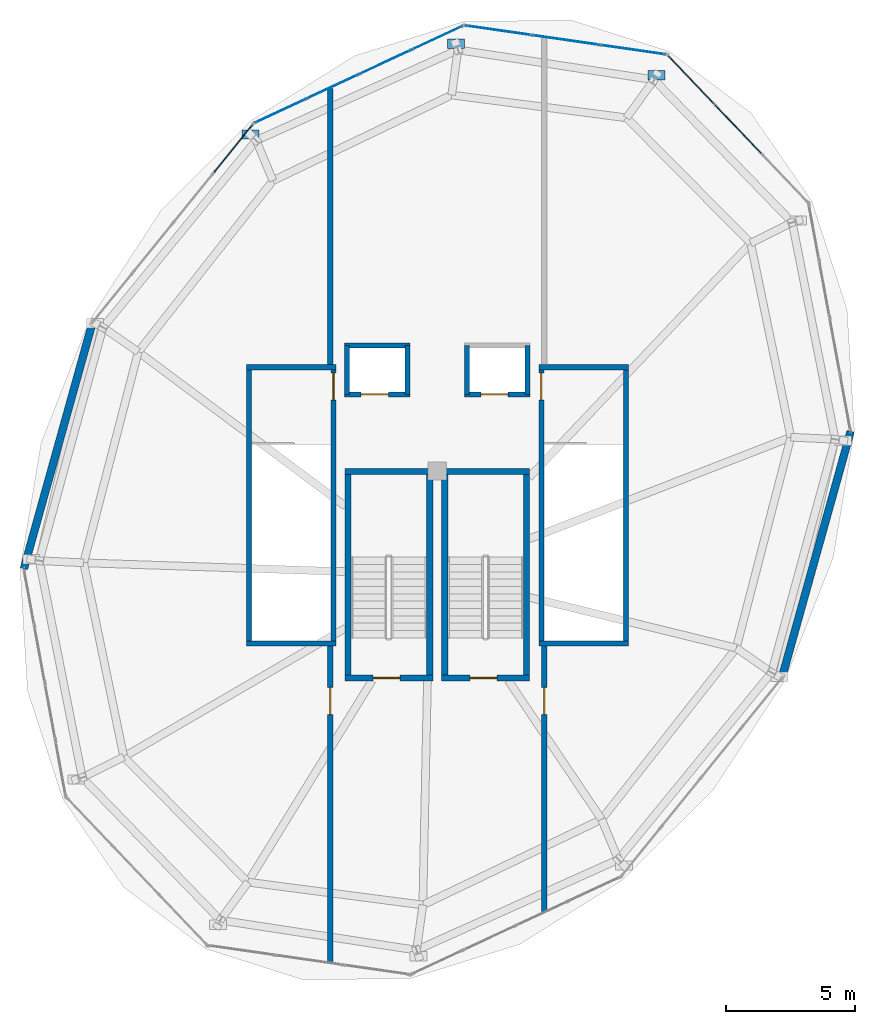
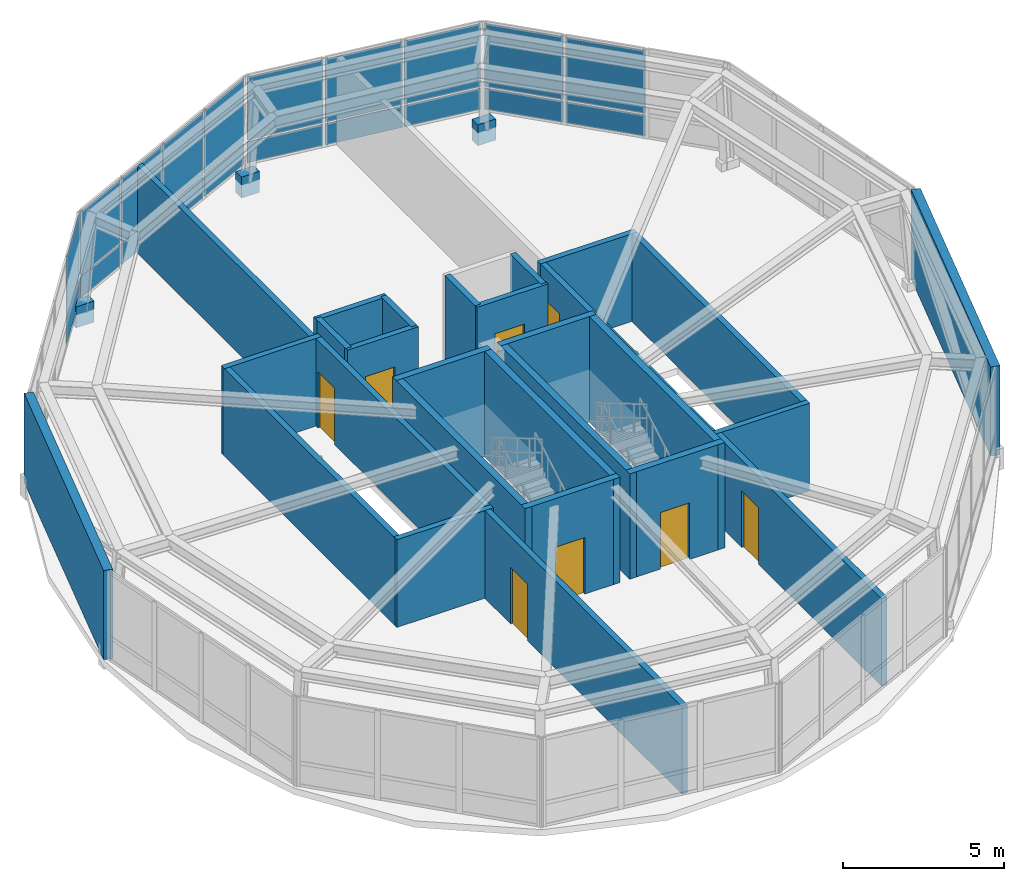
# One storey, part 12 of 14: 28 walls, 23 plates, 8 doors, 8 openings, 4 elements without a shape of their own.
"""IFC4 building model written with IfcOpenShell, lengths in metres."""

import ifcopenshell
import ifcopenshell.guid

model = None  # the IFC model being written
_history = None  # IfcOwnerHistory: only IFC2X3 demands one
_inside = {}  # id of a spatial element -> (the spatial element, [elements in it])
_under = {}  # id of a project, library or spatial element -> (it, [spatial elements below it])
_declared = {}  # id of a project -> (the project, [libraries it declares])
_typed = {}  # id of a type object -> (the type object, [elements of that type])
_made_of = {}  # id of a material, layer set ... -> (it, [elements and type objects made of it])


def new_model(schema):
    """Start an empty IFC model of exactly this schema.

    Asked for "IFC4X3", IfcOpenShell would pick the latest addendum, in which some entities
    have other attributes; the version numbers below select the first issue.
    IFC2X3 requires an IfcOwnerHistory on every rooted entity: one is made here for all.
    """
    global model, _history
    if schema == "IFC4X3":
        model = ifcopenshell.file(schema_version=(4, 3, 0, 0))
    else:
        model = ifcopenshell.file(schema=schema)
    _inside.clear()
    _under.clear()
    _declared.clear()
    _typed.clear()
    _made_of.clear()
    _history = None
    if model.schema == "IFC2X3":
        org = make("IfcOrganization", Name="unknown")
        user = make(
            "IfcPersonAndOrganization",
            ThePerson=make("IfcPerson", FamilyName="unknown"),
            TheOrganization=org,
        )
        app = make(
            "IfcApplication",
            ApplicationDeveloper=org,
            Version="unknown",
            ApplicationFullName="unknown",
            ApplicationIdentifier="unknown",
        )
        _history = make(
            "IfcOwnerHistory",
            OwningUser=user,
            OwningApplication=app,
            ChangeAction="ADDED",
            CreationDate=0,
        )
    return model


def make(cls, **values):
    """One entity of the class cls with the attributes given. An attribute that is None is left unset."""
    return model.create_entity(
        cls, **{name: value for name, value in values.items() if value is not None}
    )


def rooted(cls, **values):
    """An entity with a GlobalId (a new one), such as an element, a storey or a relation."""
    return make(cls, GlobalId=ifcopenshell.guid.new(), OwnerHistory=_history, **values)


def si_unit(unit_type, name, prefix=None):
    """IfcSIUnit, for example si_unit("LENGTHUNIT", "METRE", prefix="MILLI")."""
    return make("IfcSIUnit", UnitType=unit_type, Prefix=prefix, Name=name)


def assignment(units):
    """IfcUnitAssignment: the units of a project."""
    return None if units is None else make("IfcUnitAssignment", Units=units)


def point(xyz):
    """IfcCartesianPoint."""
    return None if xyz is None else make("IfcCartesianPoint", Coordinates=xyz)


def direction(xyz):
    """IfcDirection."""
    return None if xyz is None else make("IfcDirection", DirectionRatios=xyz)


def frame(location, z_axis=None, x_axis=None):
    """IfcAxis2Placement3D, a coordinate frame: its origin and axes. An axis left out is left unset."""
    return make(
        "IfcAxis2Placement3D",
        Location=point(location),
        Axis=direction(z_axis),
        RefDirection=direction(x_axis),
    )


def frame_2d(location, x_axis=None):
    """IfcAxis2Placement2D, a coordinate frame in the plane: its origin and x axis."""
    return make(
        "IfcAxis2Placement2D", Location=point(location), RefDirection=direction(x_axis)
    )


def origin():
    """The frame at (0, 0, 0) with its axes left unset."""
    return frame((0.0, 0.0, 0.0))


def origin_2d():
    """The frame at (0, 0) in the plane with its x axis left unset."""
    return frame_2d((0.0, 0.0))


def place(relative_to, where):
    """IfcLocalPlacement: puts the frame where relative to a parent placement (None: the world)."""
    return make(
        "IfcLocalPlacement", PlacementRelTo=relative_to, RelativePlacement=where
    )


def context(
    kind, dimensions, precision=None, world=None, true_north=None, identifier=None
):
    """IfcGeometricRepresentationContext, for example the 3D "Model" context."""
    return make(
        "IfcGeometricRepresentationContext",
        ContextIdentifier=identifier,
        ContextType=kind,
        CoordinateSpaceDimension=dimensions,
        Precision=precision,
        WorldCoordinateSystem=world,
        TrueNorth=true_north,
    )


def subcontext(parent, identifier, kind, view, scale=None):
    """IfcGeometricRepresentationSubContext, for example "Body" below "Model"."""
    return make(
        "IfcGeometricRepresentationSubContext",
        ContextIdentifier=identifier,
        ContextType=kind,
        ParentContext=parent,
        TargetScale=scale,
        TargetView=view,
    )


def project(units=None, contexts=None):
    """IfcProject with its units and contexts."""
    return rooted(
        "IfcProject",
        Name="project",
        RepresentationContexts=contexts,
        UnitsInContext=assignment(units),
    )


def spatial(cls, under=None, at=None, **own):
    """A site, building, storey or space (cls), placed at a placement, below another one or the project."""
    s = rooted(cls, ObjectPlacement=at, **own)
    if under is not None:
        _under.setdefault(under.id(), (under, []))[1].append(s)
    return s


def profile(cls, at=None, kind="AREA", **sizes):
    """A parametric profile (cls). Its sizes go by their IFC names, for example OverallWidth=200.0."""
    return make(cls, ProfileType=kind, Position=at, **sizes)


def rectangle(**sizes):
    """IfcRectangleProfileDef."""
    return profile("IfcRectangleProfileDef", **sizes)


def extrude(swept, where, along, depth):
    """IfcExtrudedAreaSolid: the profile swept, set in the frame where, extruded along a direction by depth."""
    return make(
        "IfcExtrudedAreaSolid",
        SweptArea=swept,
        Position=where,
        ExtrudedDirection=direction(along),
        Depth=depth,
    )


def shape(context_of_items, identifier, shape_type, items):
    """IfcShapeRepresentation: the items that make up one representation, for example the "Body"."""
    return make(
        "IfcShapeRepresentation",
        ContextOfItems=context_of_items,
        RepresentationIdentifier=identifier,
        RepresentationType=shape_type,
        Items=items,
    )


def material(Name=None, Category=None):
    """IfcMaterial."""
    return make("IfcMaterial", Name=Name, Category=Category)


def layer(
    of_material, thickness, ventilated=None, Name=None, Category=None, Priority=None
):
    """IfcMaterialLayer: one layer of a wall or slab, of a material (None: an air gap)."""
    return make(
        "IfcMaterialLayer",
        Material=of_material,
        LayerThickness=thickness,
        IsVentilated=ventilated,
        Name=Name,
        Category=Category,
        Priority=Priority,
    )


def layer_set(layers, Name=None):
    """IfcMaterialLayerSet."""
    return make("IfcMaterialLayerSet", MaterialLayers=layers, LayerSetName=Name)


def made_of(thing, what):
    """Note that an element or type object is made of a material, layer set ...; save() writes the relation."""
    if what is not None:
        _made_of.setdefault(what.id(), (what, []))[1].append(thing)
    return thing


def type_object(cls, material=None, **own):
    """A type object (cls), such as IfcWallType, which elements share."""
    return made_of(rooted(cls, **own), material)


def element(
    cls,
    number,
    at=None,
    inside=None,
    cuts=None,
    type_object=None,
    material=None,
    context=None,
    identifier="Body",
    shape_type=None,
    held_by="IfcProductDefinitionShape",
    body=None,
    shapes=None,
    **own,
):
    """One element of the class cls, such as IfcWall. Its Tag is "e" and its number.

    at: its placement. inside: the storey or other place that contains it. cuts: it is an
    opening in that element (IfcRelVoidsElement). A single representation is given by context,
    identifier, shape_type and body (its items); several are given by shapes. held_by: the class
    of the entity that holds the representations. save() writes the other relations.
    """
    e = rooted(cls, Tag="e%d" % number, ObjectPlacement=at, **own)
    if body is not None:
        shapes = [shape(context, identifier, shape_type, body)]
    if shapes is not None:
        e.Representation = make(held_by, Representations=shapes)
    if inside is not None:
        _inside.setdefault(inside.id(), (inside, []))[1].append(e)
    if cuts is not None:
        rooted(
            "IfcRelVoidsElement", RelatingBuildingElement=cuts, RelatedOpeningElement=e
        )
    if type_object is not None:
        _typed.setdefault(type_object.id(), (type_object, []))[1].append(e)
    return made_of(e, material)


def fill(opening, filler):
    """IfcRelFillsElement: the door or window that sits in an opening."""
    return rooted(
        "IfcRelFillsElement",
        RelatingOpeningElement=opening,
        RelatedBuildingElement=filler,
    )


def aggregate(whole, parts):
    """IfcRelAggregates: a whole, such as a stair, and the parts it consists of."""
    return rooted("IfcRelAggregates", RelatingObject=whole, RelatedObjects=parts)


def save(model, path):
    """Write the relations noted so far, then the file.

    IfcRelAggregates (storeys below a building ...), IfcRelContainedInSpatialStructure (elements
    in a storey), IfcRelDefinesByType, IfcRelAssociatesMaterial and IfcRelDeclares: one each for
    every whole, place, type object, material and project.
    """
    for whole, parts in _under.values():
        aggregate(whole, parts)
    for where, things in _inside.values():
        rooted(
            "IfcRelContainedInSpatialStructure",
            RelatedElements=things,
            RelatingStructure=where,
        )
    for kind, things in _typed.values():
        rooted("IfcRelDefinesByType", RelatedObjects=things, RelatingType=kind)
    for what, things in _made_of.values():
        rooted("IfcRelAssociatesMaterial", RelatedObjects=things, RelatingMaterial=what)
    for by, libraries in _declared.values():
        rooted("IfcRelDeclares", RelatingContext=by, RelatedDefinitions=libraries)
    model.write(path)


model = new_model("IFC4")

# Units and contexts
model_context = context("Model", 3, precision=1e-05, world=origin(), true_north=direction((0.0, 1.0)))
body_context = subcontext(model_context, "Body", "Model", "MODEL_VIEW")
ifc_project = project(units=[si_unit("LENGTHUNIT", "METRE"), si_unit("AREAUNIT", "SQUARE_METRE"), si_unit("VOLUMEUNIT", "CUBIC_METRE"), si_unit("PLANEANGLEUNIT", "RADIAN"), si_unit("MASSUNIT", "GRAM", prefix="KILO"), si_unit("THERMODYNAMICTEMPERATUREUNIT", "KELVIN"), si_unit("POWERUNIT", "WATT")], contexts=[model_context])

# Site, building, storey
site_placement = place(None, origin())
site = spatial("IfcSite", under=ifc_project, at=site_placement, CompositionType="ELEMENT")
building_placement = place(site_placement, origin())
building = spatial("IfcBuilding", under=site, at=building_placement, Name="Ocrelia Relay Tower", CompositionType="ELEMENT")
storey_placement = place(building_placement, frame((0.0, 0.0, 288.0)))
storey = spatial("IfcBuildingStorey", under=building, at=storey_placement, Name="L72", CompositionType="ELEMENT", Elevation=288.0)

# Curtain wall, plates
ifc_material_1 = material(Name="Aluminium and solar-control low-E glass", Category="aluminium")
ifc_layer_1 = layer(ifc_material_1, 0.179931640625, Name="Aluminium and solar-control low-E glass")
ifc_layer_set_1 = layer_set([ifc_layer_1], Name="Aluminium and solar-control low-E glass")
curtain_wall_type = type_object("IfcCurtainWallType", Name="CW-SYS-CROWN-PT", PredefinedType="NOTDEFINED", material=ifc_layer_set_1)
curtain_wall_1_placement = place(storey_placement, origin())
curtain_wall_1 = element("IfcCurtainWall", 1, at=curtain_wall_1_placement, inside=storey, type_object=curtain_wall_type, Name="L72 Faceted Glass-Point Crown Curtain Wall 01", PredefinedType="NOTDEFINED")
ifc_material_2 = material(Name="Clear double-glazed low-E glass", Category="glass")
ifc_layer_2 = layer(ifc_material_2, 0.031982421875, Name="Clear double-glazed low-E glass")
ifc_layer_set_2 = layer_set([ifc_layer_2], Name="Clear double-glazed low-E glass")
plate_type_1 = type_object("IfcPlateType", Name="CW-SYS-CROWN-PT-PNL", PredefinedType="CURTAIN_PANEL", material=ifc_layer_set_2)
plate_1_placement = place(storey_placement, frame((41.58837890625, 43.4755859375, 0.06494140625), z_axis=(0.0, 0.0, 1.0), x_axis=(-0.989776471131, 0.142627266665, 0.0)))
plate_1 = element("IfcPlate", 2, at=plate_1_placement, type_object=plate_type_1, Name="CW-CR panel 1.1", PredefinedType="CURTAIN_PANEL", context=body_context, shape_type="SweptSolid", body=[
    extrude(rectangle(XDim=2.5419921875, YDim=0.031982421875, at=origin_2d()), origin(), (0.0, 0.0, 1.0), 0.802490234375),
])
plate_2_placement = place(storey_placement, frame((41.58837890625, 43.4755859375, 0.932373046875), z_axis=(0.0, 0.0, 1.0), x_axis=(-0.989776471131, 0.142627266665, 0.0)))
plate_2 = element("IfcPlate", 3, at=plate_2_placement, type_object=plate_type_1, Name="CW-CR panel 1.2", PredefinedType="CURTAIN_PANEL", context=body_context, shape_type="SweptSolid", body=[
    extrude(rectangle(XDim=2.5419921875, YDim=0.031982421875, at=origin_2d()), origin(), (0.0, 0.0, 1.0), 2.392578125),
])
plate_3_placement = place(storey_placement, frame((38.979736328125, 43.8515625, 0.06494140625), z_axis=(0.0, 0.0, 1.0), x_axis=(-0.989776471131, 0.142627266665, 0.0)))
plate_3 = element("IfcPlate", 4, at=plate_3_placement, type_object=plate_type_1, Name="CW-CR panel 2.1", PredefinedType="CURTAIN_PANEL", context=body_context, shape_type="SweptSolid", body=[
    extrude(rectangle(XDim=2.57958984375, YDim=0.031982421875, at=origin_2d()), origin(), (0.0, 0.0, 1.0), 0.802490234375),
])
plate_4_placement = place(storey_placement, frame((38.979736328125, 43.8515625, 0.932373046875), z_axis=(0.0, 0.0, 1.0), x_axis=(-0.989776471131, 0.142627266665, 0.0)))
plate_4 = element("IfcPlate", 5, at=plate_4_placement, type_object=plate_type_1, Name="CW-CR panel 2.2", PredefinedType="CURTAIN_PANEL", context=body_context, shape_type="SweptSolid", body=[
    extrude(rectangle(XDim=2.57958984375, YDim=0.031982421875, at=origin_2d()), origin(), (0.0, 0.0, 1.0), 2.392578125),
])
plate_5_placement = place(storey_placement, frame((36.370849609375, 44.2275390625, 0.06494140625), z_axis=(0.0, 0.0, 1.0), x_axis=(-0.989776471131, 0.142627266665, 0.0)))
plate_5 = element("IfcPlate", 6, at=plate_5_placement, type_object=plate_type_1, Name="CW-CR panel 3.1", PredefinedType="CURTAIN_PANEL", context=body_context, shape_type="SweptSolid", body=[
    extrude(rectangle(XDim=2.5419921875, YDim=0.031982421875, at=origin_2d()), origin(), (0.0, 0.0, 1.0), 0.802490234375),
])
plate_6_placement = place(storey_placement, frame((36.370849609375, 44.2275390625, 0.932373046875), z_axis=(0.0, 0.0, 1.0), x_axis=(-0.989776471131, 0.142627266665, 0.0)))
plate_6 = element("IfcPlate", 7, at=plate_6_placement, type_object=plate_type_1, Name="CW-CR panel 3.2", PredefinedType="CURTAIN_PANEL", context=body_context, shape_type="SweptSolid", body=[
    extrude(rectangle(XDim=2.5419921875, YDim=0.031982421875, at=origin_2d()), origin(), (0.0, 0.0, 1.0), 2.392578125),
])
aggregate(curtain_wall_1, [plate_1, plate_2, plate_3, plate_4, plate_5, plate_6])

curtain_wall_2_placement = place(storey_placement, origin())
curtain_wall_2 = element("IfcCurtainWall", 8, at=curtain_wall_2_placement, inside=storey, type_object=curtain_wall_type, Name="L72 Faceted Glass-Point Crown Curtain Wall 02", PredefinedType="NOTDEFINED")
plate_7_placement = place(storey_placement, frame((34.001708984375, 43.9365234375, 0.06494140625), z_axis=(0.0, 0.0, 1.0), x_axis=(-0.906542117727, -0.422115373786, 0.0)))
plate_7 = element("IfcPlate", 9, at=plate_7_placement, type_object=plate_type_1, Name="CW-CR panel 1.1", PredefinedType="CURTAIN_PANEL", context=body_context, shape_type="SweptSolid", body=[
    extrude(rectangle(XDim=2.137939453125, YDim=0.031982421875, at=origin_2d()), origin(), (0.0, 0.0, 1.0), 0.802490234375),
])
plate_8_placement = place(storey_placement, frame((34.001708984375, 43.9365234375, 0.932373046875), z_axis=(0.0, 0.0, 1.0), x_axis=(-0.906542117727, -0.422115373786, 0.0)))
plate_8 = element("IfcPlate", 10, at=plate_8_placement, type_object=plate_type_1, Name="CW-CR panel 1.2", PredefinedType="CURTAIN_PANEL", context=body_context, shape_type="SweptSolid", body=[
    extrude(rectangle(XDim=2.137939453125, YDim=0.031982421875, at=origin_2d()), origin(), (0.0, 0.0, 1.0), 2.392578125),
])
plate_9_placement = place(storey_placement, frame((31.978515625, 42.99462890625, 0.06494140625), z_axis=(0.0, 0.0, 1.0), x_axis=(-0.906542117727, -0.422115373786, 0.0)))
plate_9 = element("IfcPlate", 11, at=plate_9_placement, type_object=plate_type_1, Name="CW-CR panel 2.1", PredefinedType="CURTAIN_PANEL", context=body_context, shape_type="SweptSolid", body=[
    extrude(rectangle(XDim=2.17529296875, YDim=0.031982421875, at=origin_2d()), origin(), (0.0, 0.0, 1.0), 0.802490234375),
])
plate_10_placement = place(storey_placement, frame((31.978515625, 42.99462890625, 0.932373046875), z_axis=(0.0, 0.0, 1.0), x_axis=(-0.906542117727, -0.422115373786, 0.0)))
plate_10 = element("IfcPlate", 12, at=plate_10_placement, type_object=plate_type_1, Name="CW-CR panel 2.2", PredefinedType="CURTAIN_PANEL", context=body_context, shape_type="SweptSolid", body=[
    extrude(rectangle(XDim=2.17529296875, YDim=0.031982421875, at=origin_2d()), origin(), (0.0, 0.0, 1.0), 2.392578125),
])
plate_11_placement = place(storey_placement, frame((29.9384765625, 42.044677734375, 0.06494140625), z_axis=(0.0, 0.0, 1.0), x_axis=(-0.906542117727, -0.422115373786, 0.0)))
plate_11 = element("IfcPlate", 13, at=plate_11_placement, type_object=plate_type_1, Name="CW-CR panel 3.1", PredefinedType="CURTAIN_PANEL", context=body_context, shape_type="SweptSolid", body=[
    extrude(rectangle(XDim=2.17529296875, YDim=0.031982421875, at=origin_2d()), origin(), (0.0, 0.0, 1.0), 0.802490234375),
])
plate_12_placement = place(storey_placement, frame((29.9384765625, 42.044677734375, 0.932373046875), z_axis=(0.0, 0.0, 1.0), x_axis=(-0.906542117727, -0.422115373786, 0.0)))
plate_12 = element("IfcPlate", 14, at=plate_12_placement, type_object=plate_type_1, Name="CW-CR panel 3.2", PredefinedType="CURTAIN_PANEL", context=body_context, shape_type="SweptSolid", body=[
    extrude(rectangle(XDim=2.17529296875, YDim=0.031982421875, at=origin_2d()), origin(), (0.0, 0.0, 1.0), 2.392578125),
])
plate_13_placement = place(storey_placement, frame((27.91552734375, 41.1025390625, 0.06494140625), z_axis=(0.0, 0.0, 1.0), x_axis=(-0.906542117727, -0.422115373786, 0.0)))
plate_13 = element("IfcPlate", 15, at=plate_13_placement, type_object=plate_type_1, Name="CW-CR panel 4.1", PredefinedType="CURTAIN_PANEL", context=body_context, shape_type="SweptSolid", body=[
    extrude(rectangle(XDim=2.137939453125, YDim=0.031982421875, at=origin_2d()), origin(), (0.0, 0.0, 1.0), 0.802490234375),
])
plate_14_placement = place(storey_placement, frame((27.91552734375, 41.1025390625, 0.932373046875), z_axis=(0.0, 0.0, 1.0), x_axis=(-0.906542117727, -0.422115373786, 0.0)))
plate_14 = element("IfcPlate", 16, at=plate_14_placement, type_object=plate_type_1, Name="CW-CR panel 4.2", PredefinedType="CURTAIN_PANEL", context=body_context, shape_type="SweptSolid", body=[
    extrude(rectangle(XDim=2.137939453125, YDim=0.031982421875, at=origin_2d()), origin(), (0.0, 0.0, 1.0), 2.392578125),
])
aggregate(curtain_wall_2, [plate_7, plate_8, plate_9, plate_10, plate_11, plate_12, plate_13, plate_14])

curtain_wall_3_placement = place(storey_placement, origin())
curtain_wall_3 = element("IfcCurtainWall", 17, at=curtain_wall_3_placement, inside=storey, type_object=curtain_wall_type, Name="L72 Faceted Glass-Point Crown Curtain Wall 03", PredefinedType="NOTDEFINED")
plate_15_placement = place(storey_placement, frame((26.085205078125, 39.640625, 0.06494140625), z_axis=(0.0, 0.0, 1.0), x_axis=(-0.629502598711, -0.776998377229, 0.0)))
plate_15 = element("IfcPlate", 18, at=plate_15_placement, type_object=plate_type_1, Name="CW-CR panel 1.1", PredefinedType="CURTAIN_PANEL", context=body_context, shape_type="SweptSolid", body=[
    extrude(rectangle(XDim=2.370361328125, YDim=0.031982421875, at=origin_2d()), origin(), (0.0, 0.0, 1.0), 0.802490234375),
])
plate_16_placement = place(storey_placement, frame((26.085205078125, 39.640625, 0.932373046875), z_axis=(0.0, 0.0, 1.0), x_axis=(-0.629502598711, -0.776998377229, 0.0)))
plate_16 = element("IfcPlate", 19, at=plate_16_placement, type_object=plate_type_1, Name="CW-CR panel 1.2", PredefinedType="CURTAIN_PANEL", context=body_context, shape_type="SweptSolid", body=[
    extrude(rectangle(XDim=2.370361328125, YDim=0.031982421875, at=origin_2d()), origin(), (0.0, 0.0, 1.0), 2.392578125),
])
aggregate(curtain_wall_3, [plate_15, plate_16])

curtain_wall_4_placement = place(storey_placement, origin())
curtain_wall_4 = element("IfcCurtainWall", 20, at=curtain_wall_4_placement, inside=storey, type_object=curtain_wall_type, Name="L72 Faceted Glass-Point Crown Curtain Wall 12", PredefinedType="NOTDEFINED")
plate_17_placement = place(storey_placement, frame((45.66650390625, 40.400146484375, 0.06494140625), z_axis=(0.0, 0.0, 1.0), x_axis=(-0.689616603237, 0.724174661625, 0.0)))
plate_17 = element("IfcPlate", 21, at=plate_17_placement, type_object=plate_type_1, Name="CW-CR panel 2.1", PredefinedType="CURTAIN_PANEL", context=body_context, shape_type="SweptSolid", body=[
    extrude(rectangle(XDim=2.57958984375, YDim=0.031982421875, at=origin_2d()), origin(), (0.0, 0.0, 1.0), 0.802490234375),
])
plate_18_placement = place(storey_placement, frame((45.66650390625, 40.400146484375, 0.932373046875), z_axis=(0.0, 0.0, 1.0), x_axis=(-0.689616603237, 0.724174661625, 0.0)))
plate_18 = element("IfcPlate", 22, at=plate_18_placement, type_object=plate_type_1, Name="CW-CR panel 2.2", PredefinedType="CURTAIN_PANEL", context=body_context, shape_type="SweptSolid", body=[
    extrude(rectangle(XDim=2.57958984375, YDim=0.031982421875, at=origin_2d()), origin(), (0.0, 0.0, 1.0), 2.392578125),
])
plate_19_placement = place(storey_placement, frame((43.848876953125, 42.308837890625, 0.06494140625), z_axis=(0.0, 0.0, 1.0), x_axis=(-0.689616603237, 0.724174661625, 0.0)))
plate_19 = element("IfcPlate", 23, at=plate_19_placement, type_object=plate_type_1, Name="CW-CR panel 3.1", PredefinedType="CURTAIN_PANEL", context=body_context, shape_type="SweptSolid", body=[
    extrude(rectangle(XDim=2.5419921875, YDim=0.031982421875, at=origin_2d()), origin(), (0.0, 0.0, 1.0), 0.802490234375),
])
plate_20_placement = place(storey_placement, frame((43.848876953125, 42.308837890625, 0.932373046875), z_axis=(0.0, 0.0, 1.0), x_axis=(-0.689616603237, 0.724174661625, 0.0)))
plate_20 = element("IfcPlate", 24, at=plate_20_placement, type_object=plate_type_1, Name="CW-CR panel 3.2", PredefinedType="CURTAIN_PANEL", context=body_context, shape_type="SweptSolid", body=[
    extrude(rectangle(XDim=2.5419921875, YDim=0.031982421875, at=origin_2d()), origin(), (0.0, 0.0, 1.0), 2.392578125),
])
aggregate(curtain_wall_4, [plate_17, plate_18, plate_19, plate_20])

# Plates
ifc_material_3 = material(Name="Steel S355", Category="steel")
ifc_layer_3 = layer(ifc_material_3, 0.031982421875, Name="Steel S355")
ifc_layer_set_3 = layer_set([ifc_layer_3], Name="Steel S355")
plate_type_2 = type_object("IfcPlateType", Name="PL-SPLICE-CP1", PredefinedType="SHEET", material=ifc_layer_set_3)
for number, where, z_axis, x_axis, name in (
    (25, (42.5078125, 42.48388671875, -0.5), (0.0, 0.0, 1.0), (1.0, 0.0, 0.0), "Crown Rib Base Splice Plate SP-01 (01)"),
    (26, (34.7255859375, 43.703857421875, -0.5), (0.0, 0.0, 1.0), (1.0, 0.0, 0.0), "Crown Rib Base Splice Plate SP-01 (02)"),
    (27, (26.7490234375, 40.18017578125, -0.5), (0.0, 0.0, 1.0), (1.0, 0.0, 0.0), "Crown Rib Base Splice Plate SP-01 (03)"),
):
    element("IfcPlate", number, at=place(storey_placement, frame(where, z_axis=z_axis, x_axis=x_axis)), inside=storey, type_object=plate_type_2, Name=name, PredefinedType="SHEET", context=body_context, shape_type="SweptSolid", body=[
        extrude(rectangle(XDim=0.64990234375, YDim=0.360107421875, at=origin_2d()), origin(), (0.0, 0.0, 1.0), 0.800048828125),
    ])

# Wall, opening, door
ifc_material_4 = material(Name="Concrete C50/60", Category="concrete")
ifc_layer_4 = layer(ifc_material_4, 0.239990234375, Name="Concrete C50/60")
ifc_layer_set_4 = layer_set([ifc_layer_4], Name="Concrete C50/60")
wall_type_1 = type_object("IfcWallType", Name="CW-STAIR-240", PredefinedType="SHEAR", material=ifc_layer_set_4)
wall_1_placement = place(storey_placement, frame((30.412109375, 19.092041015625, 0.0), z_axis=(0.0, 0.0, 1.0), x_axis=(1.0, 0.0, 0.0)))
wall_1 = element("IfcWall", 28, at=wall_1_placement, inside=storey, type_object=wall_type_1, Name="L72 ST4 Structural Shaft S Wall", PredefinedType="SHEAR", context=body_context, shape_type="SweptSolid", body=[
    extrude(rectangle(XDim=3.415771484375, YDim=0.239990234375, at=frame_2d((1.7080078125, 0.0))), origin(), (0.0, 0.0, 1.0), 4.0),
])
opening_1_placement = place(wall_1_placement, frame((1.10009765625, 0.0, 0.0)))
opening_1 = element("IfcOpeningElement", 29, at=opening_1_placement, cuts=wall_1, Name="Opening D-FD90", PredefinedType="OPENING", context=body_context, shape_type="SweptSolid", body=[
    extrude(rectangle(XDim=1.050048828125, YDim=2.14990234375, at=frame_2d((0.52490234375, 1.074951171875))), frame((0.0, 0.1298828125, 0.0), z_axis=(0.0, -1.0, 0.0), x_axis=(1.0, 0.0, 0.0)), (0.0, 0.0, 1.0), 0.260009765625),
])
ifc_material_5 = material(Name="Steel S355 90-min fire door", Category="steel")
door_type_1 = type_object("IfcDoorType", Name="DR-STAIR-FD90-1050", OperationType="NOTDEFINED", PredefinedType="DOOR", material=ifc_material_5)
door_1_placement = place(opening_1_placement, origin())
door_1 = element("IfcDoor", 30, at=door_1_placement, inside=storey, type_object=door_type_1, Name="L72 Crown Stair ST4 Fire Door", OperationType="SINGLE_SWING_LEFT", OverallHeight=2.14990234375, OverallWidth=1.050048828125, PredefinedType="DOOR", context=body_context, shape_type="SweptSolid", body=[
    extrude(rectangle(XDim=1.050048828125, YDim=2.14990234375, at=frame_2d((0.52490234375, 1.074951171875))), frame((0.0, 0.02490234375, 0.0), z_axis=(0.0, -1.0, 0.0), x_axis=(1.0, 0.0, 0.0)), (0.0, 0.0, 1.0), 0.050048828125),
])
fill(opening_1, door_1)

# Walls
wall_2_placement = place(storey_placement, frame((30.412109375, 27.10791015625, 0.0), z_axis=(0.0, 0.0, 1.0), x_axis=(1.0, 0.0, 0.0)))
element("IfcWall", 31, at=wall_2_placement, inside=storey, type_object=wall_type_1, Name="L72 ST4 Structural Shaft N Wall", PredefinedType="SHEAR", context=body_context, shape_type="SweptSolid", body=[
    extrude(rectangle(XDim=3.415771484375, YDim=0.239990234375, at=frame_2d((1.7080078125, 0.0))), origin(), (0.0, 0.0, 1.0), 4.0),
])
for number, where, z_axis, x_axis, name in (
    (32, (30.531982421875, 18.971923828125, 0.0), (0.0, 0.0, 1.0), (0.0, 1.0, 0.0), "L72 ST4 Structural Shaft W Wall"),
    (33, (33.7080078125, 18.971923828125, 0.0), (0.0, 0.0, 1.0), (0.0, 1.0, 0.0), "L72 ST4 Structural Shaft E Wall"),
):
    element("IfcWall", number, at=place(storey_placement, frame(where, z_axis=z_axis, x_axis=x_axis)), inside=storey, type_object=wall_type_1, Name=name, PredefinedType="SHEAR", context=body_context, shape_type="SweptSolid", body=[
        extrude(rectangle(XDim=8.256103515625, YDim=0.239990234375, at=frame_2d((4.1279296875, 0.0))), origin(), (0.0, 0.0, 1.0), 4.0),
    ])

# Wall, opening, door
wall_3_placement = place(storey_placement, frame((34.172119140625, 19.092041015625, 0.0), z_axis=(0.0, 0.0, 1.0), x_axis=(1.0, 0.0, 0.0)))
wall_3 = element("IfcWall", 34, at=wall_3_placement, inside=storey, type_object=wall_type_1, Name="L72 ST5 Structural Shaft S Wall", PredefinedType="SHEAR", context=body_context, shape_type="SweptSolid", body=[
    extrude(rectangle(XDim=3.415771484375, YDim=0.239990234375, at=frame_2d((1.7080078125, 0.0))), origin(), (0.0, 0.0, 1.0), 4.0),
])
opening_2_placement = place(wall_3_placement, frame((1.10009765625, 0.0, 0.0)))
opening_2 = element("IfcOpeningElement", 35, at=opening_2_placement, cuts=wall_3, Name="Opening D-FD90", PredefinedType="OPENING", context=body_context, shape_type="SweptSolid", body=[
    extrude(rectangle(XDim=1.050048828125, YDim=2.14990234375, at=frame_2d((0.52490234375, 1.074951171875))), frame((0.0, 0.1298828125, 0.0), z_axis=(0.0, -1.0, 0.0), x_axis=(1.0, 0.0, 0.0)), (0.0, 0.0, 1.0), 0.260009765625),
])
door_2_placement = place(opening_2_placement, origin())
door_2 = element("IfcDoor", 36, at=door_2_placement, inside=storey, type_object=door_type_1, Name="L72 Crown Stair ST5 Fire Door", OperationType="SINGLE_SWING_RIGHT", OverallHeight=2.14990234375, OverallWidth=1.050048828125, PredefinedType="DOOR", context=body_context, shape_type="SweptSolid", body=[
    extrude(rectangle(XDim=1.050048828125, YDim=2.14990234375, at=frame_2d((0.52490234375, 1.074951171875))), frame((0.0, 0.02490234375, 0.0), z_axis=(0.0, -1.0, 0.0), x_axis=(1.0, 0.0, 0.0)), (0.0, 0.0, 1.0), 0.050048828125),
])
fill(opening_2, door_2)

# Walls
wall_4_placement = place(storey_placement, frame((34.172119140625, 27.10791015625, 0.0), z_axis=(0.0, 0.0, 1.0), x_axis=(1.0, 0.0, 0.0)))
element("IfcWall", 37, at=wall_4_placement, inside=storey, type_object=wall_type_1, Name="L72 ST5 Structural Shaft N Wall", PredefinedType="SHEAR", context=body_context, shape_type="SweptSolid", body=[
    extrude(rectangle(XDim=3.415771484375, YDim=0.239990234375, at=frame_2d((1.7080078125, 0.0))), origin(), (0.0, 0.0, 1.0), 4.0),
])
for number, where, z_axis, x_axis, name in (
    (38, (34.2919921875, 18.971923828125, 0.0), (0.0, 0.0, 1.0), (0.0, 1.0, 0.0), "L72 ST5 Structural Shaft W Wall"),
    (39, (37.468017578125, 18.971923828125, 0.0), (0.0, 0.0, 1.0), (0.0, 1.0, 0.0), "L72 ST5 Structural Shaft E Wall"),
):
    element("IfcWall", number, at=place(storey_placement, frame(where, z_axis=z_axis, x_axis=x_axis)), inside=storey, type_object=wall_type_1, Name=name, PredefinedType="SHEAR", context=body_context, shape_type="SweptSolid", body=[
        extrude(rectangle(XDim=8.256103515625, YDim=0.239990234375, at=frame_2d((4.1279296875, 0.0))), origin(), (0.0, 0.0, 1.0), 4.0),
    ])
ifc_material_6 = material(Name="Precast concrete C40/50 with oxide terracotta", Category="masonry")
ifc_layer_5 = layer(ifc_material_6, 0.300048828125, Name="Precast concrete C40/50 with oxide terracotta")
ifc_layer_set_5 = layer_set([ifc_layer_5], Name="Precast concrete C40/50 with oxide terracotta")
wall_type_2 = type_object("IfcWallType", Name="W-EXT-TERR-300", PredefinedType="SOLIDWALL", material=ifc_layer_set_5)
for number, where, z_axis, x_axis, name in (
    (40, (20.626220703125, 32.902587890625, 0.0), (0.0, 0.0, 1.0), (-0.268683344475, -0.963228560832, 0.0), "L72 Crown Braced Terracotta Spine Wall 04"),
    (41, (47.373779296875, 19.097412109375, 0.0), (0.0, 0.0, 1.0), (0.268683344475, 0.963228560832, 0.0), "L72 Crown Braced Terracotta Spine Wall 10"),
):
    element("IfcWall", number, at=place(storey_placement, frame(where, z_axis=z_axis, x_axis=x_axis)), inside=storey, type_object=wall_type_2, Name=name, PredefinedType="SOLIDWALL", context=body_context, shape_type="SweptSolid", body=[
        extrude(rectangle(XDim=9.931640625, YDim=0.300048828125, at=frame_2d((4.9658203125, 0.0))), origin(), (0.0, 0.0, 1.0), 3.389892578125),
    ])

# Wall, opening, door
ifc_layer_6 = layer(ifc_material_4, 0.199951171875, Name="Concrete C50/60")
ifc_layer_set_6 = layer_set([ifc_layer_6], Name="Concrete C50/60")
wall_type_3 = type_object("IfcWallType", Name="W-SHAFT-EI120-200", PredefinedType="SOLIDWALL", material=ifc_layer_set_6)
wall_5_placement = place(storey_placement, frame((30.39990234375, 30.10009765625, 0.0), z_axis=(0.0, 0.0, 1.0), x_axis=(1.0, 0.0, 0.0)))
wall_5 = element("IfcWall", 42, at=wall_5_placement, inside=storey, type_object=wall_type_3, Name="L72 FFL1 South Wall", PredefinedType="SOLIDWALL", context=body_context, shape_type="SweptSolid", body=[
    extrude(rectangle(XDim=2.550048828125, YDim=0.199951171875, at=frame_2d((1.27490234375, 0.0))), origin(), (0.0, 0.0, 1.0), 3.330078125),
])
opening_3_placement = place(wall_5_placement, frame((0.64990234375, 0.0, 0.0)))
opening_3 = element("IfcOpeningElement", 43, at=opening_3_placement, cuts=wall_5, Name="Opening LD-FFL1", PredefinedType="OPENING", context=body_context, shape_type="SweptSolid", body=[
    extrude(rectangle(XDim=1.050048828125, YDim=2.10009765625, at=frame_2d((0.52490234375, 1.050048828125))), frame((0.0, 0.10986328125, 0.0), z_axis=(0.0, -1.0, 0.0), x_axis=(1.0, 0.0, 0.0)), (0.0, 0.0, 1.0), 0.219970703125),
])
ifc_material_7 = material(Name="Brushed stainless steel S355 lift landing door", Category="steel")
door_type_2 = type_object("IfcDoorType", Name="DR-LIFT-LAND-1050", OperationType="DOUBLE_DOOR_SLIDING", PredefinedType="USERDEFINED", material=ifc_material_7)
door_3_placement = place(opening_3_placement, origin())
door_3 = element("IfcDoor", 44, at=door_3_placement, inside=storey, type_object=door_type_2, Name="L72 FFL1 Sliding Landing Door", ObjectType="LANDING DOOR", OperationType="DOUBLE_DOOR_SLIDING", OverallHeight=2.10009765625, OverallWidth=1.050048828125, PredefinedType="USERDEFINED", context=body_context, shape_type="SweptSolid", body=[
    extrude(rectangle(XDim=1.050048828125, YDim=2.10009765625, at=frame_2d((0.52490234375, 1.050048828125))), frame((0.0, 0.02490234375, 0.0), z_axis=(0.0, -1.0, 0.0), x_axis=(1.0, 0.0, 0.0)), (0.0, 0.0, 1.0), 0.050048828125),
])
fill(opening_3, door_3)

# Walls
wall_6_placement = place(storey_placement, frame((30.39990234375, 32.0, 0.0), z_axis=(0.0, 0.0, 1.0), x_axis=(1.0, 0.0, 0.0)))
element("IfcWall", 45, at=wall_6_placement, inside=storey, type_object=wall_type_3, Name="L72 FFL1 N Wall", PredefinedType="SOLIDWALL", context=body_context, shape_type="SweptSolid", body=[
    extrude(rectangle(XDim=2.550048828125, YDim=0.199951171875, at=frame_2d((1.27490234375, 0.0))), origin(), (0.0, 0.0, 1.0), 3.330078125),
])
for number, where, z_axis, x_axis, name in (
    (46, (30.5, 30.10009765625, 0.0), (0.0, 0.0, 1.0), (0.0, 1.0, 0.0), "L72 FFL1 W Wall"),
    (47, (32.85009765625, 30.10009765625, 0.0), (0.0, 0.0, 1.0), (0.0, 1.0, 0.0), "L72 FFL1 E Wall"),
):
    element("IfcWall", number, at=place(storey_placement, frame(where, z_axis=z_axis, x_axis=x_axis)), inside=storey, type_object=wall_type_3, Name=name, PredefinedType="SOLIDWALL", context=body_context, shape_type="SweptSolid", body=[
        extrude(rectangle(XDim=1.89990234375, YDim=0.199951171875, at=frame_2d((0.949951171875, 0.0))), origin(), (0.0, 0.0, 1.0), 3.330078125),
    ])

# Wall, opening, door
wall_7_placement = place(storey_placement, frame((35.050048828125, 30.10009765625, 0.0), z_axis=(0.0, 0.0, 1.0), x_axis=(1.0, 0.0, 0.0)))
wall_7 = element("IfcWall", 48, at=wall_7_placement, inside=storey, type_object=wall_type_3, Name="L72 FFL2 South Wall", PredefinedType="SOLIDWALL", context=body_context, shape_type="SweptSolid", body=[
    extrude(rectangle(XDim=2.550048828125, YDim=0.199951171875, at=frame_2d((1.27490234375, 0.0))), origin(), (0.0, 0.0, 1.0), 3.330078125),
])
opening_4_placement = place(wall_7_placement, frame((0.64990234375, 0.0, 0.0)))
opening_4 = element("IfcOpeningElement", 49, at=opening_4_placement, cuts=wall_7, Name="Opening LD-FFL2", PredefinedType="OPENING", context=body_context, shape_type="SweptSolid", body=[
    extrude(rectangle(XDim=1.050048828125, YDim=2.10009765625, at=frame_2d((0.52490234375, 1.050048828125))), frame((0.0, 0.10986328125, 0.0), z_axis=(0.0, -1.0, 0.0), x_axis=(1.0, 0.0, 0.0)), (0.0, 0.0, 1.0), 0.219970703125),
])
door_4_placement = place(opening_4_placement, origin())
door_4 = element("IfcDoor", 50, at=door_4_placement, inside=storey, type_object=door_type_2, Name="L72 FFL2 Sliding Landing Door", ObjectType="LANDING DOOR", OperationType="DOUBLE_DOOR_SLIDING", OverallHeight=2.10009765625, OverallWidth=1.050048828125, PredefinedType="USERDEFINED", context=body_context, shape_type="SweptSolid", body=[
    extrude(rectangle(XDim=1.050048828125, YDim=2.10009765625, at=frame_2d((0.52490234375, 1.050048828125))), frame((0.0, 0.02490234375, 0.0), z_axis=(0.0, -1.0, 0.0), x_axis=(1.0, 0.0, 0.0)), (0.0, 0.0, 1.0), 0.050048828125),
])
fill(opening_4, door_4)

# Walls
for number, where, z_axis, x_axis, name in (
    (51, (35.14990234375, 30.10009765625, 0.0), (0.0, 0.0, 1.0), (0.0, 1.0, 0.0), "L72 FFL2 W Wall"),
    (52, (37.5, 30.10009765625, 0.0), (0.0, 0.0, 1.0), (0.0, 1.0, 0.0), "L72 FFL2 E Wall"),
):
    element("IfcWall", number, at=place(storey_placement, frame(where, z_axis=z_axis, x_axis=x_axis)), inside=storey, type_object=wall_type_3, Name=name, PredefinedType="SOLIDWALL", context=body_context, shape_type="SweptSolid", body=[
        extrude(rectangle(XDim=1.89990234375, YDim=0.199951171875, at=frame_2d((0.949951171875, 0.0))), origin(), (0.0, 0.0, 1.0), 3.330078125),
    ])
for number, where, z_axis, x_axis, name in (
    (53, (26.590087890625, 20.429931640625, 0.0), (0.0, 0.0, 1.0), (1.0, 0.0, 0.0), "L72 ST1 Top Shaft S Wall"),
    (54, (26.590087890625, 31.14990234375, 0.0), (0.0, 0.0, 1.0), (1.0, 0.0, 0.0), "L72 ST1 Top Shaft N Wall"),
):
    element("IfcWall", number, at=place(storey_placement, frame(where, z_axis=z_axis, x_axis=x_axis)), inside=storey, type_object=wall_type_3, Name=name, PredefinedType="SOLIDWALL", context=body_context, shape_type="SweptSolid", body=[
        extrude(rectangle(XDim=3.47998046875, YDim=0.199951171875, at=frame_2d((1.739990234375, 0.0))), origin(), (0.0, 0.0, 1.0), 3.330078125),
    ])
wall_8_placement = place(storey_placement, frame((26.68994140625, 20.429931640625, 0.0), z_axis=(0.0, 0.0, 1.0), x_axis=(0.0, 1.0, 0.0)))
element("IfcWall", 55, at=wall_8_placement, inside=storey, type_object=wall_type_3, Name="L72 ST1 Top Shaft W Wall", PredefinedType="SOLIDWALL", context=body_context, shape_type="SweptSolid", body=[
    extrude(rectangle(XDim=10.719970703125, YDim=0.199951171875, at=frame_2d((5.35986328125, 0.0))), origin(), (0.0, 0.0, 1.0), 3.330078125),
])

# Wall, opening, door
wall_9_placement = place(storey_placement, frame((29.969970703125, 20.429931640625, 0.0), z_axis=(0.0, 0.0, 1.0), x_axis=(0.0, 1.0, 0.0)))
wall_9 = element("IfcWall", 56, at=wall_9_placement, inside=storey, type_object=wall_type_3, Name="L72 ST1 Top Shaft E Wall", PredefinedType="SOLIDWALL", context=body_context, shape_type="SweptSolid", body=[
    extrude(rectangle(XDim=10.719970703125, YDim=0.199951171875, at=frame_2d((5.35986328125, 0.0))), origin(), (0.0, 0.0, 1.0), 3.330078125),
])
opening_5_placement = place(wall_9_placement, frame((9.449951171875, 0.0, 0.0)))
opening_5 = element("IfcOpeningElement", 57, at=opening_5_placement, cuts=wall_9, Name="Opening D-FD90", PredefinedType="OPENING", context=body_context, shape_type="SweptSolid", body=[
    extrude(rectangle(XDim=1.050048828125, YDim=2.14990234375, at=frame_2d((0.52490234375, 1.074951171875))), frame((0.0, 0.10986328125, 0.0), z_axis=(0.0, -1.0, 0.0), x_axis=(1.0, 0.0, 0.0)), (0.0, 0.0, 1.0), 0.219970703125),
])
door_5_placement = place(opening_5_placement, origin())
door_5 = element("IfcDoor", 58, at=door_5_placement, inside=storey, type_object=door_type_1, Name="L72 ST1 Top Landing Fire Door", OperationType="SINGLE_SWING_LEFT", OverallHeight=2.14990234375, OverallWidth=1.050048828125, PredefinedType="DOOR", context=body_context, shape_type="SweptSolid", body=[
    extrude(rectangle(XDim=1.050048828125, YDim=2.14990234375, at=frame_2d((0.52490234375, 1.074951171875))), frame((0.0, 0.02490234375, 0.0), z_axis=(0.0, -1.0, 0.0), x_axis=(1.0, 0.0, 0.0)), (0.0, 0.0, 1.0), 0.050048828125),
])
fill(opening_5, door_5)

# Walls
for number, where, z_axis, x_axis, name in (
    (59, (37.93994140625, 20.429931640625, 0.0), (0.0, 0.0, 1.0), (1.0, 0.0, 0.0), "L72 ST2 Top Shaft S Wall"),
    (60, (37.93994140625, 31.14990234375, 0.0), (0.0, 0.0, 1.0), (1.0, 0.0, 0.0), "L72 ST2 Top Shaft N Wall"),
):
    element("IfcWall", number, at=place(storey_placement, frame(where, z_axis=z_axis, x_axis=x_axis)), inside=storey, type_object=wall_type_3, Name=name, PredefinedType="SOLIDWALL", context=body_context, shape_type="SweptSolid", body=[
        extrude(rectangle(XDim=3.47998046875, YDim=0.199951171875, at=frame_2d((1.739990234375, 0.0))), origin(), (0.0, 0.0, 1.0), 3.330078125),
    ])

# Wall, opening, door
wall_10_placement = place(storey_placement, frame((38.0400390625, 20.429931640625, 0.0), z_axis=(0.0, 0.0, 1.0), x_axis=(0.0, 1.0, 0.0)))
wall_10 = element("IfcWall", 61, at=wall_10_placement, inside=storey, type_object=wall_type_3, Name="L72 ST2 Top Shaft W Wall", PredefinedType="SOLIDWALL", context=body_context, shape_type="SweptSolid", body=[
    extrude(rectangle(XDim=10.719970703125, YDim=0.199951171875, at=frame_2d((5.35986328125, 0.0))), origin(), (0.0, 0.0, 1.0), 3.330078125),
])
opening_6_placement = place(wall_10_placement, frame((9.449951171875, 0.0, 0.0)))
opening_6 = element("IfcOpeningElement", 62, at=opening_6_placement, cuts=wall_10, Name="Opening D-FD90", PredefinedType="OPENING", context=body_context, shape_type="SweptSolid", body=[
    extrude(rectangle(XDim=1.050048828125, YDim=2.14990234375, at=frame_2d((0.52490234375, 1.074951171875))), frame((0.0, 0.10986328125, 0.0), z_axis=(0.0, -1.0, 0.0), x_axis=(1.0, 0.0, 0.0)), (0.0, 0.0, 1.0), 0.219970703125),
])
door_6_placement = place(opening_6_placement, origin())
door_6 = element("IfcDoor", 63, at=door_6_placement, inside=storey, type_object=door_type_1, Name="L72 ST2 Top Landing Fire Door", OperationType="SINGLE_SWING_RIGHT", OverallHeight=2.14990234375, OverallWidth=1.050048828125, PredefinedType="DOOR", context=body_context, shape_type="SweptSolid", body=[
    extrude(rectangle(XDim=1.050048828125, YDim=2.14990234375, at=frame_2d((0.52490234375, 1.074951171875))), frame((0.0, 0.02490234375, 0.0), z_axis=(0.0, -1.0, 0.0), x_axis=(1.0, 0.0, 0.0)), (0.0, 0.0, 1.0), 0.050048828125),
])
fill(opening_6, door_6)

# Wall
wall_11_placement = place(storey_placement, frame((41.320068359375, 20.429931640625, 0.0), z_axis=(0.0, 0.0, 1.0), x_axis=(0.0, 1.0, 0.0)))
element("IfcWall", 64, at=wall_11_placement, inside=storey, type_object=wall_type_3, Name="L72 ST2 Top Shaft E Wall", PredefinedType="SOLIDWALL", context=body_context, shape_type="SweptSolid", body=[
    extrude(rectangle(XDim=10.719970703125, YDim=0.199951171875, at=frame_2d((5.35986328125, 0.0))), origin(), (0.0, 0.0, 1.0), 3.330078125),
])

# Wall, opening, door
wall_12_placement = place(storey_placement, frame((29.85009765625, 8.058349609375, 0.0), z_axis=(0.0, 0.0, 1.0), x_axis=(0.0, 1.0, 0.0)))
wall_12 = element("IfcWall", 65, at=wall_12_placement, inside=storey, type_object=wall_type_3, Name="L72 Crown Lobby South-West Wall", PredefinedType="SOLIDWALL", context=body_context, shape_type="SweptSolid", body=[
    extrude(rectangle(XDim=12.37158203125, YDim=0.199951171875, at=frame_2d((6.185791015625, 0.0))), origin(), (0.0, 0.0, 1.0), 3.330078125),
])
opening_7_placement = place(wall_12_placement, frame((9.61669921875, 0.0, 0.0)))
opening_7 = element("IfcOpeningElement", 66, at=opening_7_placement, cuts=wall_12, Name="Opening D-FD90", PredefinedType="OPENING", context=body_context, shape_type="SweptSolid", body=[
    extrude(rectangle(XDim=1.050048828125, YDim=2.14990234375, at=frame_2d((0.52490234375, 1.074951171875))), frame((0.0, 0.10986328125, 0.0), z_axis=(0.0, -1.0, 0.0), x_axis=(1.0, 0.0, 0.0)), (0.0, 0.0, 1.0), 0.219970703125),
])
door_7_placement = place(opening_7_placement, origin())
door_7 = element("IfcDoor", 67, at=door_7_placement, inside=storey, type_object=door_type_1, Name="L72 West Chiller Plant Door", OperationType="SINGLE_SWING_LEFT", OverallHeight=2.14990234375, OverallWidth=1.050048828125, PredefinedType="DOOR", context=body_context, shape_type="SweptSolid", body=[
    extrude(rectangle(XDim=1.050048828125, YDim=2.14990234375, at=frame_2d((0.52490234375, 1.074951171875))), frame((0.0, 0.02490234375, 0.0), z_axis=(0.0, -1.0, 0.0), x_axis=(1.0, 0.0, 0.0)), (0.0, 0.0, 1.0), 0.050048828125),
])
fill(opening_7, door_7)

# Wall
wall_13_placement = place(storey_placement, frame((29.85009765625, 31.14990234375, 0.0), z_axis=(0.0, 0.0, 1.0), x_axis=(0.0, 1.0, 0.0)))
element("IfcWall", 68, at=wall_13_placement, inside=storey, type_object=wall_type_3, Name="L72 Crown Lobby North-West Wall", PredefinedType="SOLIDWALL", context=body_context, shape_type="SweptSolid", body=[
    extrude(rectangle(XDim=10.8212890625, YDim=0.199951171875, at=frame_2d((5.41064453125, 0.0))), origin(), (0.0, 0.0, 1.0), 3.330078125),
])

# Wall, opening, door
wall_14_placement = place(storey_placement, frame((38.14990234375, 10.02880859375, 0.0), z_axis=(0.0, 0.0, 1.0), x_axis=(0.0, 1.0, 0.0)))
wall_14 = element("IfcWall", 69, at=wall_14_placement, inside=storey, type_object=wall_type_3, Name="L72 Crown Lobby South-East Wall", PredefinedType="SOLIDWALL", context=body_context, shape_type="SweptSolid", body=[
    extrude(rectangle(XDim=10.401123046875, YDim=0.199951171875, at=frame_2d((5.20068359375, 0.0))), origin(), (0.0, 0.0, 1.0), 3.330078125),
])
opening_8_placement = place(wall_14_placement, frame((7.646240234375, 0.0, 0.0)))
opening_8 = element("IfcOpeningElement", 70, at=opening_8_placement, cuts=wall_14, Name="Opening D-FD90", PredefinedType="OPENING", context=body_context, shape_type="SweptSolid", body=[
    extrude(rectangle(XDim=1.050048828125, YDim=2.14990234375, at=frame_2d((0.52490234375, 1.074951171875))), frame((0.0, 0.10986328125, 0.0), z_axis=(0.0, -1.0, 0.0), x_axis=(1.0, 0.0, 0.0)), (0.0, 0.0, 1.0), 0.219970703125),
])
door_8_placement = place(opening_8_placement, origin())
door_8 = element("IfcDoor", 71, at=door_8_placement, inside=storey, type_object=door_type_1, Name="L72 East Air Handling Plant Door", OperationType="SINGLE_SWING_RIGHT", OverallHeight=2.14990234375, OverallWidth=1.050048828125, PredefinedType="DOOR", context=body_context, shape_type="SweptSolid", body=[
    extrude(rectangle(XDim=1.050048828125, YDim=2.14990234375, at=frame_2d((0.52490234375, 1.074951171875))), frame((0.0, 0.02490234375, 0.0), z_axis=(0.0, -1.0, 0.0), x_axis=(1.0, 0.0, 0.0)), (0.0, 0.0, 1.0), 0.050048828125),
])
fill(opening_8, door_8)

save(model, "model.ifc")
